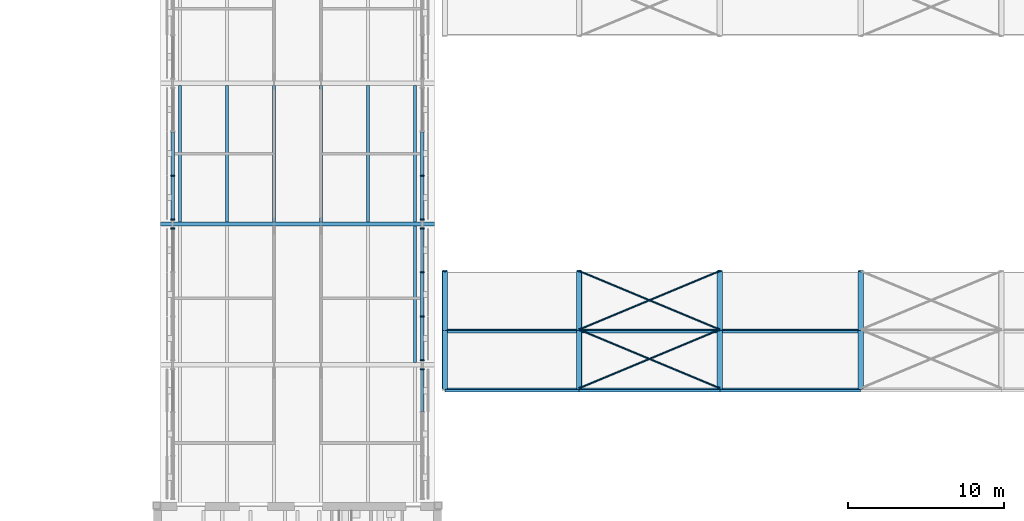
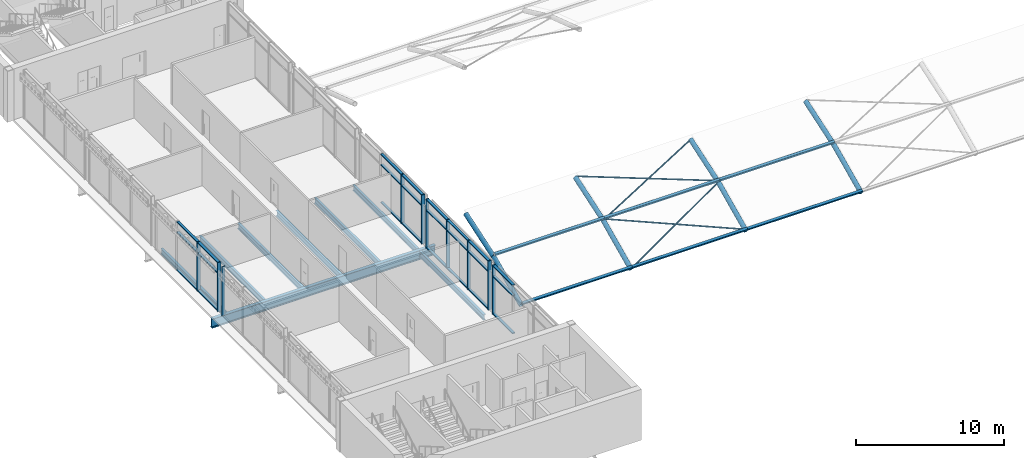
# One storey, part 4 of 54: 52 members, 8 beams, 5 elements without a shape of their own.
"""IFC4 building model written with IfcOpenShell, lengths in metres."""

from ifc_helpers import new_model, si_unit, direction, frame, origin, origin_2d, place, context, subcontext, project, spatial, rectangle, hollow_rectangle, hollow_circle, i_section, extrude, material, material_profile, profile_set, type_object, element, aggregate, save


model = new_model("IFC4")

# Units and contexts
model_context = context("Model", 3, precision=1e-05, world=origin(), true_north=direction((0.0, 1.0)))
body_context = subcontext(model_context, "Body", "Model", "MODEL_VIEW")
ifc_project = project(units=[si_unit("LENGTHUNIT", "METRE"), si_unit("AREAUNIT", "SQUARE_METRE"), si_unit("VOLUMEUNIT", "CUBIC_METRE"), si_unit("PLANEANGLEUNIT", "RADIAN"), si_unit("MASSUNIT", "GRAM", prefix="KILO")], contexts=[model_context])

# Site, building, storey
site_placement = place(None, origin())
site = spatial("IfcSite", under=ifc_project, at=site_placement, CompositionType="ELEMENT")
building_placement = place(site_placement, origin())
building = spatial("IfcBuilding", under=site, at=building_placement, Name="Baradari Gate Terminus", CompositionType="ELEMENT")
storey_placement = place(building_placement, frame((0.0, 0.0, 15.89990234375)))
storey = spatial("IfcBuildingStorey", under=building, at=storey_placement, Name="L03", CompositionType="ELEMENT", Elevation=15.89990234375)

# Curtain wall, member
ifc_material_1 = material(Name="Aluminium 6063-T6", Category="aluminium")
curtain_wall_type = type_object("IfcCurtainWallType", Name="Curtain wall CW-3 gate face, office floors", PredefinedType="NOTDEFINED", material=ifc_material_1)
curtain_wall_1_placement = place(storey_placement, origin())
curtain_wall_1 = element("IfcCurtainWall", 1, at=curtain_wall_1_placement, inside=storey, type_object=curtain_wall_type, Name="Curtain wall CW-3 gate west face L03 bay 2", PredefinedType="NOTDEFINED")
ifc_material_2 = material(Name="Aluminium 6063-T6", Category="aluminium")
ifc_material_profile_1 = material_profile(ifc_material_2, rectangle(XDim=0.25, YDim=0.080078125, at=origin_2d()), Name="CM-3 80X250")
ifc_profile_set_1 = profile_set([ifc_material_profile_1], Name="Aluminium 6063-T6")
member_type_1 = type_object("IfcMemberType", Name="Curtain wall mullion CM-3 80x250", PredefinedType="MULLION", material=ifc_profile_set_1)
member_1_placement = place(storey_placement, frame((73.02490234375, 53.7099609375, 0.0), z_axis=(0.0, 0.0, 1.0), x_axis=(-1.0, 0.0, 0.0)))
member_1 = element("IfcMember", 2, at=member_1_placement, type_object=member_type_1, Name="CW-3 mullion 4", PredefinedType="MULLION", context=body_context, shape_type="SweptSolid", body=[
    extrude(rectangle(XDim=0.25, YDim=0.080078125, at=origin_2d()), origin(), (0.0, 0.0, 1.0), 4.050048828125),
])
aggregate(curtain_wall_1, [member_1])

# Curtain wall, members
curtain_wall_2_placement = place(storey_placement, origin())
curtain_wall_2 = element("IfcCurtainWall", 3, at=curtain_wall_2_placement, inside=storey, type_object=curtain_wall_type, Name="Curtain wall CW-3 gate west face L03 bay 3", PredefinedType="NOTDEFINED")
member_2_placement = place(storey_placement, frame((73.02490234375, 54.2900390625, 0.0), z_axis=(0.0, 0.0, 1.0), x_axis=(-1.0, 0.0, 0.0)))
member_2 = element("IfcMember", 4, at=member_2_placement, type_object=member_type_1, Name="CW-3 mullion 1", PredefinedType="MULLION", context=body_context, shape_type="SweptSolid", body=[
    extrude(rectangle(XDim=0.25, YDim=0.080078125, at=origin_2d()), origin(), (0.0, 0.0, 1.0), 4.050048828125),
])
member_3_placement = place(storey_placement, frame((73.02490234375, 57.083251953125, 0.0), z_axis=(0.0, 0.0, 1.0), x_axis=(-1.0, 0.0, 0.0)))
member_3 = element("IfcMember", 5, at=member_3_placement, type_object=member_type_1, Name="CW-3 mullion 2", PredefinedType="MULLION", context=body_context, shape_type="SweptSolid", body=[
    extrude(rectangle(XDim=0.25, YDim=0.080078125, at=origin_2d()), origin(), (0.0, 0.0, 1.0), 4.050048828125),
])

# Curtain wall, member
curtain_wall_3_placement = place(storey_placement, origin())
curtain_wall_3 = element("IfcCurtainWall", 6, at=curtain_wall_3_placement, inside=storey, type_object=curtain_wall_type, Name="Curtain wall CW-3 gate east face L03 bay 1", PredefinedType="NOTDEFINED")
member_4_placement = place(storey_placement, frame((88.97509765625, 44.7099609375, 0.0), z_axis=(0.0, 0.0, 1.0), x_axis=(-1.0, 0.0, 0.0)))
member_4 = element("IfcMember", 7, at=member_4_placement, type_object=member_type_1, Name="CW-3 mullion 4", PredefinedType="MULLION", context=body_context, shape_type="SweptSolid", body=[
    extrude(rectangle(XDim=0.25, YDim=0.080078125, at=origin_2d()), origin(), (0.0, 0.0, 1.0), 4.050048828125),
])

# Curtain wall, members
curtain_wall_4_placement = place(storey_placement, origin())
curtain_wall_4 = element("IfcCurtainWall", 8, at=curtain_wall_4_placement, inside=storey, type_object=curtain_wall_type, Name="Curtain wall CW-3 gate east face L03 bay 2", PredefinedType="NOTDEFINED")
member_5_placement = place(storey_placement, frame((88.97509765625, 45.2900390625, 0.0), z_axis=(0.0, 0.0, 1.0), x_axis=(-1.0, 0.0, 0.0)))
member_5 = element("IfcMember", 9, at=member_5_placement, type_object=member_type_1, Name="CW-3 mullion 1", PredefinedType="MULLION", context=body_context, shape_type="SweptSolid", body=[
    extrude(rectangle(XDim=0.25, YDim=0.080078125, at=origin_2d()), origin(), (0.0, 0.0, 1.0), 4.050048828125),
])
member_6_placement = place(storey_placement, frame((88.97509765625, 48.083251953125, 0.0), z_axis=(0.0, 0.0, 1.0), x_axis=(-1.0, 0.0, 0.0)))
member_6 = element("IfcMember", 10, at=member_6_placement, type_object=member_type_1, Name="CW-3 mullion 2", PredefinedType="MULLION", context=body_context, shape_type="SweptSolid", body=[
    extrude(rectangle(XDim=0.25, YDim=0.080078125, at=origin_2d()), origin(), (0.0, 0.0, 1.0), 4.050048828125),
])
member_7_placement = place(storey_placement, frame((88.97509765625, 50.916748046875, 0.0), z_axis=(0.0, 0.0, 1.0), x_axis=(-1.0, 0.0, 0.0)))
member_7 = element("IfcMember", 11, at=member_7_placement, type_object=member_type_1, Name="CW-3 mullion 3", PredefinedType="MULLION", context=body_context, shape_type="SweptSolid", body=[
    extrude(rectangle(XDim=0.25, YDim=0.080078125, at=origin_2d()), origin(), (0.0, 0.0, 1.0), 4.050048828125),
])
member_8_placement = place(storey_placement, frame((88.97509765625, 53.7099609375, 0.0), z_axis=(0.0, 0.0, 1.0), x_axis=(-1.0, 0.0, 0.0)))
member_8 = element("IfcMember", 12, at=member_8_placement, type_object=member_type_1, Name="CW-3 mullion 4", PredefinedType="MULLION", context=body_context, shape_type="SweptSolid", body=[
    extrude(rectangle(XDim=0.25, YDim=0.080078125, at=origin_2d()), origin(), (0.0, 0.0, 1.0), 4.050048828125),
])

curtain_wall_5_placement = place(storey_placement, origin())
curtain_wall_5 = element("IfcCurtainWall", 13, at=curtain_wall_5_placement, inside=storey, type_object=curtain_wall_type, Name="Curtain wall CW-3 gate east face L03 bay 3", PredefinedType="NOTDEFINED")
member_9_placement = place(storey_placement, frame((88.97509765625, 54.2900390625, 0.0), z_axis=(0.0, 0.0, 1.0), x_axis=(-1.0, 0.0, 0.0)))
member_9 = element("IfcMember", 14, at=member_9_placement, type_object=member_type_1, Name="CW-3 mullion 1", PredefinedType="MULLION", context=body_context, shape_type="SweptSolid", body=[
    extrude(rectangle(XDim=0.25, YDim=0.080078125, at=origin_2d()), origin(), (0.0, 0.0, 1.0), 4.050048828125),
])
member_10_placement = place(storey_placement, frame((88.97509765625, 57.083251953125, 0.0), z_axis=(0.0, 0.0, 1.0), x_axis=(-1.0, 0.0, 0.0)))
member_10 = element("IfcMember", 15, at=member_10_placement, type_object=member_type_1, Name="CW-3 mullion 2", PredefinedType="MULLION", context=body_context, shape_type="SweptSolid", body=[
    extrude(rectangle(XDim=0.25, YDim=0.080078125, at=origin_2d()), origin(), (0.0, 0.0, 1.0), 4.050048828125),
])

# Member
ifc_material_3 = material(Name="Aluminium 6063-T6", Category="aluminium")
ifc_material_profile_2 = material_profile(ifc_material_3, rectangle(XDim=0.199951171875, YDim=0.080078125, at=origin_2d()), Name="CT-3 80X200")
ifc_profile_set_2 = profile_set([ifc_material_profile_2], Name="Aluminium 6063-T6")
member_type_2 = type_object("IfcMemberType", Name="Curtain wall transom CT-3 80x200", PredefinedType="USERDEFINED", material=ifc_profile_set_2)
member_11_placement = place(storey_placement, frame((73.02490234375, 54.330078125, 0.0400390625), z_axis=(0.0, 1.0, 0.0), x_axis=(-1.0, 0.0, 0.0)))
member_11 = element("IfcMember", 16, at=member_11_placement, type_object=member_type_2, Name="CW-3 transom 1.1", ObjectType="TRANSOM", PredefinedType="USERDEFINED", context=body_context, shape_type="SweptSolid", body=[
    extrude(rectangle(XDim=0.199951171875, YDim=0.080078125, at=origin_2d()), origin(), (0.0, 0.0, 1.0), 2.713134765625),
])

member_12_placement = place(storey_placement, frame((73.02490234375, 54.330078125, 3.150146484375), z_axis=(0.0, 1.0, 0.0), x_axis=(-1.0, 0.0, 0.0)))
member_12 = element("IfcMember", 17, at=member_12_placement, type_object=member_type_2, Name="CW-3 transom 1.2", ObjectType="TRANSOM", PredefinedType="USERDEFINED", context=body_context, shape_type="SweptSolid", body=[
    extrude(rectangle(XDim=0.199951171875, YDim=0.080078125, at=origin_2d()), origin(), (0.0, 0.0, 1.0), 2.713134765625),
])

member_13_placement = place(storey_placement, frame((73.02490234375, 54.330078125, 4.010009765625), z_axis=(0.0, 1.0, 0.0), x_axis=(-1.0, 0.0, 0.0)))
member_13 = element("IfcMember", 18, at=member_13_placement, type_object=member_type_2, Name="CW-3 transom 1.3", ObjectType="TRANSOM", PredefinedType="USERDEFINED", context=body_context, shape_type="SweptSolid", body=[
    extrude(rectangle(XDim=0.199951171875, YDim=0.080078125, at=origin_2d()), origin(), (0.0, 0.0, 1.0), 2.713134765625),
])

member_14_placement = place(storey_placement, frame((73.02490234375, 57.123291015625, 0.0400390625), z_axis=(0.0, 1.0, 0.0), x_axis=(-1.0, 0.0, 0.0)))
member_14 = element("IfcMember", 19, at=member_14_placement, type_object=member_type_2, Name="CW-3 transom 2.1", ObjectType="TRANSOM", PredefinedType="USERDEFINED", context=body_context, shape_type="SweptSolid", body=[
    extrude(rectangle(XDim=0.199951171875, YDim=0.080078125, at=origin_2d()), origin(), (0.0, 0.0, 1.0), 2.75341796875),
])

member_15_placement = place(storey_placement, frame((73.02490234375, 57.123291015625, 3.150146484375), z_axis=(0.0, 1.0, 0.0), x_axis=(-1.0, 0.0, 0.0)))
member_15 = element("IfcMember", 20, at=member_15_placement, type_object=member_type_2, Name="CW-3 transom 2.2", ObjectType="TRANSOM", PredefinedType="USERDEFINED", context=body_context, shape_type="SweptSolid", body=[
    extrude(rectangle(XDim=0.199951171875, YDim=0.080078125, at=origin_2d()), origin(), (0.0, 0.0, 1.0), 2.75341796875),
])

member_16_placement = place(storey_placement, frame((73.02490234375, 57.123291015625, 4.010009765625), z_axis=(0.0, 1.0, 0.0), x_axis=(-1.0, 0.0, 0.0)))
member_16 = element("IfcMember", 21, at=member_16_placement, type_object=member_type_2, Name="CW-3 transom 2.3", ObjectType="TRANSOM", PredefinedType="USERDEFINED", context=body_context, shape_type="SweptSolid", body=[
    extrude(rectangle(XDim=0.199951171875, YDim=0.080078125, at=origin_2d()), origin(), (0.0, 0.0, 1.0), 2.75341796875),
])

aggregate(curtain_wall_2, [member_2, member_3, member_11, member_12, member_13, member_14, member_15, member_16])

member_17_placement = place(storey_placement, frame((88.97509765625, 42.006591796875, 0.0400390625), z_axis=(0.0, 1.0, 0.0), x_axis=(-1.0, 0.0, 0.0)))
member_17 = element("IfcMember", 22, at=member_17_placement, type_object=member_type_2, Name="CW-3 transom 3.1", ObjectType="TRANSOM", PredefinedType="USERDEFINED", context=body_context, shape_type="SweptSolid", body=[
    extrude(rectangle(XDim=0.199951171875, YDim=0.080078125, at=origin_2d()), origin(), (0.0, 0.0, 1.0), 2.663330078125),
])

member_18_placement = place(storey_placement, frame((88.97509765625, 42.006591796875, 3.150146484375), z_axis=(0.0, 1.0, 0.0), x_axis=(-1.0, 0.0, 0.0)))
member_18 = element("IfcMember", 23, at=member_18_placement, type_object=member_type_2, Name="CW-3 transom 3.2", ObjectType="TRANSOM", PredefinedType="USERDEFINED", context=body_context, shape_type="SweptSolid", body=[
    extrude(rectangle(XDim=0.199951171875, YDim=0.080078125, at=origin_2d()), origin(), (0.0, 0.0, 1.0), 2.663330078125),
])

member_19_placement = place(storey_placement, frame((88.97509765625, 42.006591796875, 4.010009765625), z_axis=(0.0, 1.0, 0.0), x_axis=(-1.0, 0.0, 0.0)))
member_19 = element("IfcMember", 24, at=member_19_placement, type_object=member_type_2, Name="CW-3 transom 3.3", ObjectType="TRANSOM", PredefinedType="USERDEFINED", context=body_context, shape_type="SweptSolid", body=[
    extrude(rectangle(XDim=0.199951171875, YDim=0.080078125, at=origin_2d()), origin(), (0.0, 0.0, 1.0), 2.663330078125),
])

aggregate(curtain_wall_3, [member_4, member_17, member_18, member_19])

member_20_placement = place(storey_placement, frame((88.97509765625, 45.330078125, 0.0400390625), z_axis=(0.0, 1.0, 0.0), x_axis=(-1.0, 0.0, 0.0)))
member_20 = element("IfcMember", 25, at=member_20_placement, type_object=member_type_2, Name="CW-3 transom 1.1", ObjectType="TRANSOM", PredefinedType="USERDEFINED", context=body_context, shape_type="SweptSolid", body=[
    extrude(rectangle(XDim=0.199951171875, YDim=0.080078125, at=origin_2d()), origin(), (0.0, 0.0, 1.0), 2.713134765625),
])

member_21_placement = place(storey_placement, frame((88.97509765625, 45.330078125, 3.150146484375), z_axis=(0.0, 1.0, 0.0), x_axis=(-1.0, 0.0, 0.0)))
member_21 = element("IfcMember", 26, at=member_21_placement, type_object=member_type_2, Name="CW-3 transom 1.2", ObjectType="TRANSOM", PredefinedType="USERDEFINED", context=body_context, shape_type="SweptSolid", body=[
    extrude(rectangle(XDim=0.199951171875, YDim=0.080078125, at=origin_2d()), origin(), (0.0, 0.0, 1.0), 2.713134765625),
])

member_22_placement = place(storey_placement, frame((88.97509765625, 45.330078125, 4.010009765625), z_axis=(0.0, 1.0, 0.0), x_axis=(-1.0, 0.0, 0.0)))
member_22 = element("IfcMember", 27, at=member_22_placement, type_object=member_type_2, Name="CW-3 transom 1.3", ObjectType="TRANSOM", PredefinedType="USERDEFINED", context=body_context, shape_type="SweptSolid", body=[
    extrude(rectangle(XDim=0.199951171875, YDim=0.080078125, at=origin_2d()), origin(), (0.0, 0.0, 1.0), 2.713134765625),
])

member_23_placement = place(storey_placement, frame((88.97509765625, 48.123291015625, 0.0400390625), z_axis=(0.0, 1.0, 0.0), x_axis=(-1.0, 0.0, 0.0)))
member_23 = element("IfcMember", 28, at=member_23_placement, type_object=member_type_2, Name="CW-3 transom 2.1", ObjectType="TRANSOM", PredefinedType="USERDEFINED", context=body_context, shape_type="SweptSolid", body=[
    extrude(rectangle(XDim=0.199951171875, YDim=0.080078125, at=origin_2d()), origin(), (0.0, 0.0, 1.0), 2.75341796875),
])

member_24_placement = place(storey_placement, frame((88.97509765625, 48.123291015625, 3.150146484375), z_axis=(0.0, 1.0, 0.0), x_axis=(-1.0, 0.0, 0.0)))
member_24 = element("IfcMember", 29, at=member_24_placement, type_object=member_type_2, Name="CW-3 transom 2.2", ObjectType="TRANSOM", PredefinedType="USERDEFINED", context=body_context, shape_type="SweptSolid", body=[
    extrude(rectangle(XDim=0.199951171875, YDim=0.080078125, at=origin_2d()), origin(), (0.0, 0.0, 1.0), 2.75341796875),
])

member_25_placement = place(storey_placement, frame((88.97509765625, 48.123291015625, 4.010009765625), z_axis=(0.0, 1.0, 0.0), x_axis=(-1.0, 0.0, 0.0)))
member_25 = element("IfcMember", 30, at=member_25_placement, type_object=member_type_2, Name="CW-3 transom 2.3", ObjectType="TRANSOM", PredefinedType="USERDEFINED", context=body_context, shape_type="SweptSolid", body=[
    extrude(rectangle(XDim=0.199951171875, YDim=0.080078125, at=origin_2d()), origin(), (0.0, 0.0, 1.0), 2.75341796875),
])

member_26_placement = place(storey_placement, frame((88.97509765625, 50.956787109375, 0.0400390625), z_axis=(0.0, 1.0, 0.0), x_axis=(-1.0, 0.0, 0.0)))
member_26 = element("IfcMember", 31, at=member_26_placement, type_object=member_type_2, Name="CW-3 transom 3.1", ObjectType="TRANSOM", PredefinedType="USERDEFINED", context=body_context, shape_type="SweptSolid", body=[
    extrude(rectangle(XDim=0.199951171875, YDim=0.080078125, at=origin_2d()), origin(), (0.0, 0.0, 1.0), 2.713134765625),
])

member_27_placement = place(storey_placement, frame((88.97509765625, 50.956787109375, 3.150146484375), z_axis=(0.0, 1.0, 0.0), x_axis=(-1.0, 0.0, 0.0)))
member_27 = element("IfcMember", 32, at=member_27_placement, type_object=member_type_2, Name="CW-3 transom 3.2", ObjectType="TRANSOM", PredefinedType="USERDEFINED", context=body_context, shape_type="SweptSolid", body=[
    extrude(rectangle(XDim=0.199951171875, YDim=0.080078125, at=origin_2d()), origin(), (0.0, 0.0, 1.0), 2.713134765625),
])

member_28_placement = place(storey_placement, frame((88.97509765625, 50.956787109375, 4.010009765625), z_axis=(0.0, 1.0, 0.0), x_axis=(-1.0, 0.0, 0.0)))
member_28 = element("IfcMember", 33, at=member_28_placement, type_object=member_type_2, Name="CW-3 transom 3.3", ObjectType="TRANSOM", PredefinedType="USERDEFINED", context=body_context, shape_type="SweptSolid", body=[
    extrude(rectangle(XDim=0.199951171875, YDim=0.080078125, at=origin_2d()), origin(), (0.0, 0.0, 1.0), 2.713134765625),
])

aggregate(curtain_wall_4, [member_5, member_6, member_7, member_8, member_20, member_21, member_22, member_23, member_24, member_25, member_26, member_27, member_28])

member_29_placement = place(storey_placement, frame((88.97509765625, 54.330078125, 0.0400390625), z_axis=(0.0, 1.0, 0.0), x_axis=(-1.0, 0.0, 0.0)))
member_29 = element("IfcMember", 34, at=member_29_placement, type_object=member_type_2, Name="CW-3 transom 1.1", ObjectType="TRANSOM", PredefinedType="USERDEFINED", context=body_context, shape_type="SweptSolid", body=[
    extrude(rectangle(XDim=0.199951171875, YDim=0.080078125, at=origin_2d()), origin(), (0.0, 0.0, 1.0), 2.713134765625),
])

member_30_placement = place(storey_placement, frame((88.97509765625, 54.330078125, 3.150146484375), z_axis=(0.0, 1.0, 0.0), x_axis=(-1.0, 0.0, 0.0)))
member_30 = element("IfcMember", 35, at=member_30_placement, type_object=member_type_2, Name="CW-3 transom 1.2", ObjectType="TRANSOM", PredefinedType="USERDEFINED", context=body_context, shape_type="SweptSolid", body=[
    extrude(rectangle(XDim=0.199951171875, YDim=0.080078125, at=origin_2d()), origin(), (0.0, 0.0, 1.0), 2.713134765625),
])

member_31_placement = place(storey_placement, frame((88.97509765625, 54.330078125, 4.010009765625), z_axis=(0.0, 1.0, 0.0), x_axis=(-1.0, 0.0, 0.0)))
member_31 = element("IfcMember", 36, at=member_31_placement, type_object=member_type_2, Name="CW-3 transom 1.3", ObjectType="TRANSOM", PredefinedType="USERDEFINED", context=body_context, shape_type="SweptSolid", body=[
    extrude(rectangle(XDim=0.199951171875, YDim=0.080078125, at=origin_2d()), origin(), (0.0, 0.0, 1.0), 2.713134765625),
])

member_32_placement = place(storey_placement, frame((88.97509765625, 57.123291015625, 0.0400390625), z_axis=(0.0, 1.0, 0.0), x_axis=(-1.0, 0.0, 0.0)))
member_32 = element("IfcMember", 37, at=member_32_placement, type_object=member_type_2, Name="CW-3 transom 2.1", ObjectType="TRANSOM", PredefinedType="USERDEFINED", context=body_context, shape_type="SweptSolid", body=[
    extrude(rectangle(XDim=0.199951171875, YDim=0.080078125, at=origin_2d()), origin(), (0.0, 0.0, 1.0), 2.75341796875),
])

member_33_placement = place(storey_placement, frame((88.97509765625, 57.123291015625, 3.150146484375), z_axis=(0.0, 1.0, 0.0), x_axis=(-1.0, 0.0, 0.0)))
member_33 = element("IfcMember", 38, at=member_33_placement, type_object=member_type_2, Name="CW-3 transom 2.2", ObjectType="TRANSOM", PredefinedType="USERDEFINED", context=body_context, shape_type="SweptSolid", body=[
    extrude(rectangle(XDim=0.199951171875, YDim=0.080078125, at=origin_2d()), origin(), (0.0, 0.0, 1.0), 2.75341796875),
])

member_34_placement = place(storey_placement, frame((88.97509765625, 57.123291015625, 4.010009765625), z_axis=(0.0, 1.0, 0.0), x_axis=(-1.0, 0.0, 0.0)))
member_34 = element("IfcMember", 39, at=member_34_placement, type_object=member_type_2, Name="CW-3 transom 2.3", ObjectType="TRANSOM", PredefinedType="USERDEFINED", context=body_context, shape_type="SweptSolid", body=[
    extrude(rectangle(XDim=0.199951171875, YDim=0.080078125, at=origin_2d()), origin(), (0.0, 0.0, 1.0), 2.75341796875),
])

aggregate(curtain_wall_5, [member_9, member_10, member_29, member_30, member_31, member_32, member_33, member_34])

# Beams
ifc_material_4 = material(Name="Steel S355", Category="steel")
ifc_material_profile_3 = material_profile(ifc_material_4, i_section(OverallWidth=0.2666015625, OverallDepth=0.76220703125, WebThickness=0.014404296875, FlangeThickness=0.021484375, FilletRadius=0.0166015625, at=origin_2d()), Name="UB 762x267x173")
ifc_profile_set_3 = profile_set([ifc_material_profile_3], Name="Steel S355")
beam_type_1 = type_object("IfcBeamType", Name="Gate girder B30 UB 762x267x173", PredefinedType="BEAM", material=ifc_profile_set_3)
beam_placement = place(storey_placement, frame((72.25, 54.0, -0.531005859375), z_axis=(1.0, 0.0, 0.0), x_axis=(0.0, 1.0, 0.0)))
element("IfcBeam", 40, at=beam_placement, inside=storey, type_object=beam_type_1, Name="Gate girder B30 G:72.25-89.75 L03", PredefinedType="BEAM", context=body_context, shape_type="SweptSolid", body=[
    extrude(i_section(OverallWidth=0.2666015625, OverallDepth=0.76220703125, WebThickness=0.014404296875, FlangeThickness=0.021484375, FilletRadius=0.0166015625, at=origin_2d()), origin(), (0.0, 0.0, 1.0), 17.5),
])
ifc_material_5 = material(Name="Steel S355", Category="steel")
ifc_material_profile_4 = material_profile(ifc_material_5, i_section(OverallWidth=0.19140625, OverallDepth=0.4599609375, WebThickness=0.010009765625, FlangeThickness=0.01611328125, FilletRadius=0.01025390625, at=origin_2d()), Name="UB 457x191x82")
ifc_profile_set_4 = profile_set([ifc_material_profile_4], Name="Steel S355")
beam_type_2 = type_object("IfcBeamType", Name="Gate secondary beam B31 UB 457x191x82", PredefinedType="BEAM", material=ifc_profile_set_4)
for number, where, z_axis, x_axis, name in (
    (41, (73.5, 54.13330078125, -0.3798828125), (0.0, 1.0, 0.0), (-1.0, 0.0, 0.0), "Gate secondary beam B31 73.5:54.133-62.867 L03"),
    (42, (76.5, 54.13330078125, -0.3798828125), (0.0, 1.0, 0.0), (-1.0, 0.0, 0.0), "Gate secondary beam B31 76.5:54.133-62.867 L03"),
    (43, (79.5, 54.13330078125, -0.3798828125), (0.0, 1.0, 0.0), (-1.0, 0.0, 0.0), "Gate secondary beam B31 79.5:54.133-62.867 L03"),
    (44, (82.5, 54.13330078125, -0.3798828125), (0.0, 1.0, 0.0), (-1.0, 0.0, 0.0), "Gate secondary beam B31 82.5:54.133-62.867 L03"),
    (45, (85.5, 54.13330078125, -0.3798828125), (0.0, 1.0, 0.0), (-1.0, 0.0, 0.0), "Gate secondary beam B31 85.5:54.133-62.867 L03"),
    (46, (88.5, 45.13330078125, -0.3798828125), (0.0, 1.0, 0.0), (-1.0, 0.0, 0.0), "Gate secondary beam B31 88.5:45.133-53.867 L03"),
    (47, (88.5, 54.13330078125, -0.3798828125), (0.0, 1.0, 0.0), (-1.0, 0.0, 0.0), "Gate secondary beam B31 88.5:54.133-62.867 L03"),
):
    element("IfcBeam", number, at=place(storey_placement, frame(where, z_axis=z_axis, x_axis=x_axis)), inside=storey, type_object=beam_type_2, Name=name, PredefinedType="BEAM", context=body_context, shape_type="SweptSolid", body=[
        extrude(i_section(OverallWidth=0.19140625, OverallDepth=0.4599609375, WebThickness=0.010009765625, FlangeThickness=0.01611328125, FilletRadius=0.01025390625, at=origin_2d()), origin(), (0.0, 0.0, 1.0), 8.7333984375),
    ])

# Members
ifc_material_6 = material(Name="Steel S355", Category="steel")
ifc_material_profile_5 = material_profile(ifc_material_6, hollow_circle(Radius=0.177734375, WallThickness=0.01611328125, at=origin_2d()), Name="CHS 355.6x16")
ifc_profile_set_5 = profile_set([ifc_material_profile_5], Name="Steel S355")
member_type_3 = type_object("IfcMemberType", Name="Shed abutment rail CHS 355.6x16", PredefinedType="CHORD", material=ifc_profile_set_5)
member_35_placement = place(storey_placement, frame((90.427734375, 43.5, 0.9365234375), z_axis=(0.0, 0.906183139995, 0.422885465331), x_axis=(-1.0, 0.0, 0.0)))
element("IfcMember", 48, at=member_35_placement, inside=storey, type_object=member_type_3, Name="TR/L03/LR02", PredefinedType="CHORD", context=body_context, shape_type="SweptSolid", body=[
    extrude(hollow_circle(Radius=0.177734375, WallThickness=0.01611328125, at=origin_2d()), origin(), (0.0, 0.0, 1.0), 4.13818359375),
])
member_36_placement = place(storey_placement, frame((90.427734375, 47.25, 2.6865234375), z_axis=(0.0, 0.948683298051, 0.316227766017), x_axis=(-1.0, 0.0, 0.0)))
element("IfcMember", 49, at=member_36_placement, inside=storey, type_object=member_type_3, Name="TR/L03/LR03", PredefinedType="CHORD", context=body_context, shape_type="SweptSolid", body=[
    extrude(hollow_circle(Radius=0.177734375, WallThickness=0.01611328125, at=origin_2d()), origin(), (0.0, 0.0, 1.0), 3.952880859375),
])
ifc_material_7 = material(Name="Steel S355", Category="steel")
ifc_material_profile_6 = material_profile(ifc_material_7, hollow_rectangle(XDim=0.199951171875, YDim=0.199951171875, WallThickness=0.008056640625, InnerFilletRadius=0.008056640625, OuterFilletRadius=0.01611328125, at=origin_2d()), Name="SHS 200x200x8")
ifc_profile_set_6 = profile_set([ifc_material_profile_6], Name="Steel S355")
member_type_4 = type_object("IfcMemberType", Name="Shed purlin SHS 200x200x8", PredefinedType="PURLIN", material=ifc_profile_set_6)
for number, where, z_axis, x_axis, name in (
    (50, (90.427734375, 43.375244140625, 1.17138671875), (1.0, 0.0, 0.0), (0.0, 0.883026855482, 0.469322461106), "TR/L03/B99-PU02"),
    (51, (90.427734375, 47.151611328125, 2.93359375), (1.0, 0.0, 0.0), (0.0, 0.928965199535, 0.370167067759), "TR/L03/B99-PU03"),
):
    element("IfcMember", number, at=place(storey_placement, frame(where, z_axis=z_axis, x_axis=x_axis)), inside=storey, type_object=member_type_4, Name=name, PredefinedType="PURLIN", context=body_context, shape_type="SweptSolid", body=[
        extrude(hollow_rectangle(XDim=0.199951171875, YDim=0.199951171875, WallThickness=0.008056640625, InnerFilletRadius=0.008056640625, OuterFilletRadius=0.01611328125, at=origin_2d()), origin(), (0.0, 0.0, 1.0), 8.572265625),
    ])
for number, where, z_axis, x_axis, name in (
    (52, (99.0, 43.375244140625, 1.17138671875), (1.0, 0.0, 0.0), (0.0, 0.883026855482, 0.469322461106), "TR/L03/B108-PU02"),
    (53, (99.0, 47.151611328125, 2.93359375), (1.0, 0.0, 0.0), (0.0, 0.928965199535, 0.370167067759), "TR/L03/B108-PU03"),
    (54, (108.0, 43.375244140625, 1.17138671875), (1.0, 0.0, 0.0), (0.0, 0.883026855482, 0.469322461106), "TR/L03/B117-PU02"),
    (55, (108.0, 47.151611328125, 2.93359375), (1.0, 0.0, 0.0), (0.0, 0.928965199535, 0.370167067759), "TR/L03/B117-PU03"),
):
    element("IfcMember", number, at=place(storey_placement, frame(where, z_axis=z_axis, x_axis=x_axis)), inside=storey, type_object=member_type_4, Name=name, PredefinedType="PURLIN", context=body_context, shape_type="SweptSolid", body=[
        extrude(hollow_rectangle(XDim=0.199951171875, YDim=0.199951171875, WallThickness=0.008056640625, InnerFilletRadius=0.008056640625, OuterFilletRadius=0.01611328125, at=origin_2d()), origin(), (0.0, 0.0, 1.0), 9.0),
    ])
ifc_material_8 = material(Name="Steel S355", Category="steel")
ifc_material_profile_7 = material_profile(ifc_material_8, hollow_circle(Radius=0.05712890625, WallThickness=0.00634765625, at=origin_2d()), Name="CHS 114.3x6.3")
ifc_profile_set_7 = profile_set([ifc_material_profile_7], Name="Steel S355")
member_type_5 = type_object("IfcMemberType", Name="Shed roof brace CHS 114.3x6.3", PredefinedType="BRACE", material=ifc_profile_set_7)
for number, where, z_axis, x_axis, name in (
    (56, (99.0, 43.5, 0.9365234375), (0.908558037225, 0.378565848844, 0.176664062794), (-0.384615384615, 0.923076923077, 0.0), "TR/L03/B108-RB02A"),
    (57, (108.0, 43.5, 1.05078125), (-0.908558037225, 0.378565848844, 0.176664062794), (-0.384615384615, -0.923076923077, 0.0), "TR/L03/B108-RB02B"),
):
    element("IfcMember", number, at=place(storey_placement, frame(where, z_axis=z_axis, x_axis=x_axis)), inside=storey, type_object=member_type_5, Name=name, PredefinedType="BRACE", context=body_context, shape_type="SweptSolid", body=[
        extrude(hollow_circle(Radius=0.05712890625, WallThickness=0.00634765625, at=origin_2d()), origin(), (0.0, 0.0, 1.0), 9.90576171875),
    ])
for number, where, z_axis, x_axis, name in (
    (58, (99.0, 47.25, 2.6865234375), (0.915583075095, 0.381492947956, 0.127164315985), (-0.384615384615, 0.923076923077, 0.0), "TR/L03/B108-RB03A"),
    (59, (108.0, 47.25, 2.80078125), (-0.915583075095, 0.381492947956, 0.127164315985), (-0.384615384615, -0.923076923077, 0.0), "TR/L03/B108-RB03B"),
):
    element("IfcMember", number, at=place(storey_placement, frame(where, z_axis=z_axis, x_axis=x_axis)), inside=storey, type_object=member_type_5, Name=name, PredefinedType="BRACE", context=body_context, shape_type="SweptSolid", body=[
        extrude(hollow_circle(Radius=0.05712890625, WallThickness=0.00634765625, at=origin_2d()), origin(), (0.0, 0.0, 1.0), 9.829833984375),
    ])
ifc_material_9 = material(Name="Steel S355", Category="steel")
ifc_material_profile_8 = material_profile(ifc_material_9, hollow_circle(Radius=0.177734375, WallThickness=0.01611328125, at=origin_2d()), Name="CHS 355.6x16")
ifc_profile_set_8 = profile_set([ifc_material_profile_8], Name="Steel S355")
member_type_6 = type_object("IfcMemberType", Name="Shed top chord CHS 355.6x16", PredefinedType="CHORD", material=ifc_profile_set_8)
member_37_placement = place(storey_placement, frame((99.0, 43.5, 0.9365234375), z_axis=(0.0, 0.906183139995, 0.422885465331), x_axis=(-1.0, 0.0, 0.0)))
element("IfcMember", 60, at=member_37_placement, inside=storey, type_object=member_type_6, Name="TR/L03/S99-TC02", PredefinedType="CHORD", context=body_context, shape_type="SweptSolid", body=[
    extrude(hollow_circle(Radius=0.177734375, WallThickness=0.01611328125, at=origin_2d()), origin(), (0.0, 0.0, 1.0), 4.13818359375),
])
member_38_placement = place(storey_placement, frame((99.0, 47.25, 2.6865234375), z_axis=(0.0, 0.948683298051, 0.316227766017), x_axis=(-1.0, 0.0, 0.0)))
element("IfcMember", 61, at=member_38_placement, inside=storey, type_object=member_type_6, Name="TR/L03/S99-TC03", PredefinedType="CHORD", context=body_context, shape_type="SweptSolid", body=[
    extrude(hollow_circle(Radius=0.177734375, WallThickness=0.01611328125, at=origin_2d()), origin(), (0.0, 0.0, 1.0), 3.952880859375),
])
member_39_placement = place(storey_placement, frame((108.0, 43.5, 0.9365234375), z_axis=(0.0, 0.906183139995, 0.422885465331), x_axis=(-1.0, 0.0, 0.0)))
element("IfcMember", 62, at=member_39_placement, inside=storey, type_object=member_type_6, Name="TR/L03/S108-TC02", PredefinedType="CHORD", context=body_context, shape_type="SweptSolid", body=[
    extrude(hollow_circle(Radius=0.177734375, WallThickness=0.01611328125, at=origin_2d()), origin(), (0.0, 0.0, 1.0), 4.13818359375),
])
member_40_placement = place(storey_placement, frame((108.0, 47.25, 2.6865234375), z_axis=(0.0, 0.948683298051, 0.316227766017), x_axis=(-1.0, 0.0, 0.0)))
element("IfcMember", 63, at=member_40_placement, inside=storey, type_object=member_type_6, Name="TR/L03/S108-TC03", PredefinedType="CHORD", context=body_context, shape_type="SweptSolid", body=[
    extrude(hollow_circle(Radius=0.177734375, WallThickness=0.01611328125, at=origin_2d()), origin(), (0.0, 0.0, 1.0), 3.952880859375),
])
member_41_placement = place(storey_placement, frame((117.0, 43.5, 0.9365234375), z_axis=(0.0, 0.906183139995, 0.422885465331), x_axis=(-1.0, 0.0, 0.0)))
element("IfcMember", 64, at=member_41_placement, inside=storey, type_object=member_type_6, Name="TR/L03/S117-TC02", PredefinedType="CHORD", context=body_context, shape_type="SweptSolid", body=[
    extrude(hollow_circle(Radius=0.177734375, WallThickness=0.01611328125, at=origin_2d()), origin(), (0.0, 0.0, 1.0), 4.13818359375),
])
member_42_placement = place(storey_placement, frame((117.0, 47.25, 2.6865234375), z_axis=(0.0, 0.948683298051, 0.316227766017), x_axis=(-1.0, 0.0, 0.0)))
element("IfcMember", 65, at=member_42_placement, inside=storey, type_object=member_type_6, Name="TR/L03/S117-TC03", PredefinedType="CHORD", context=body_context, shape_type="SweptSolid", body=[
    extrude(hollow_circle(Radius=0.177734375, WallThickness=0.01611328125, at=origin_2d()), origin(), (0.0, 0.0, 1.0), 3.952880859375),
])

save(model, "model.ifc")
